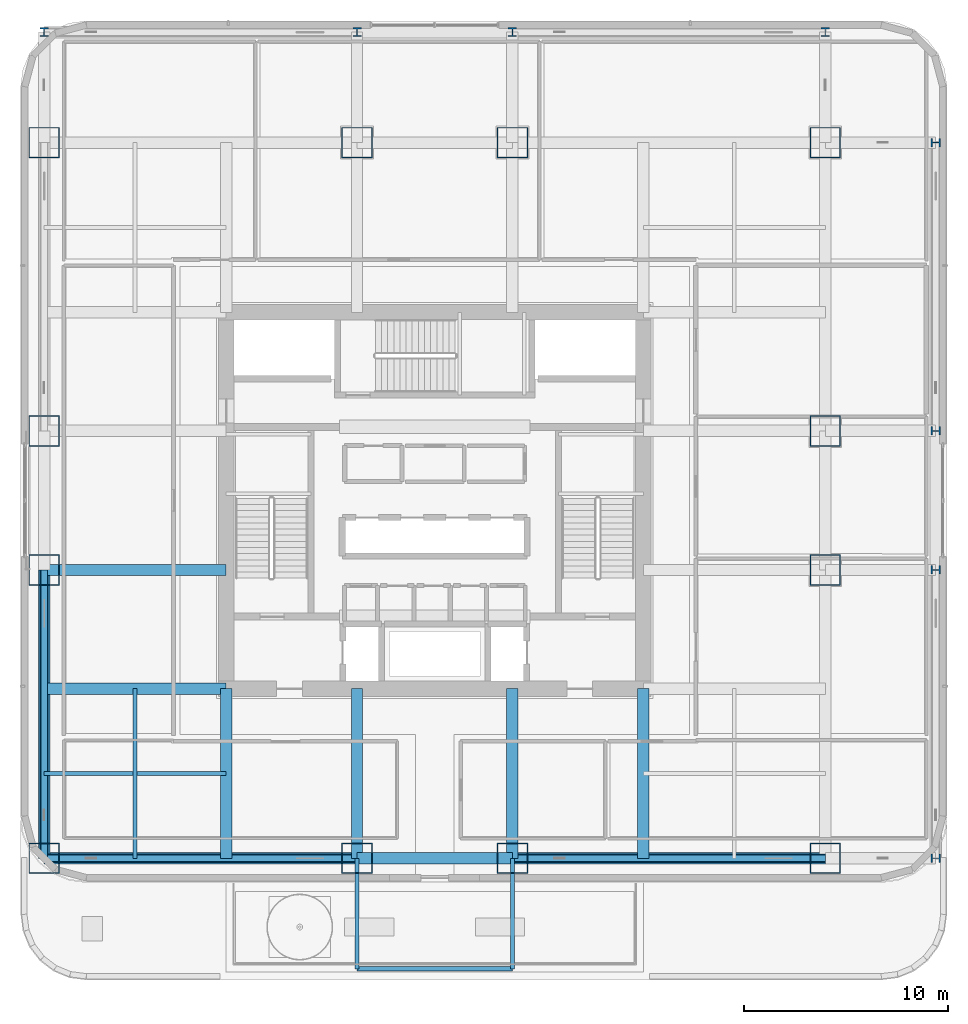
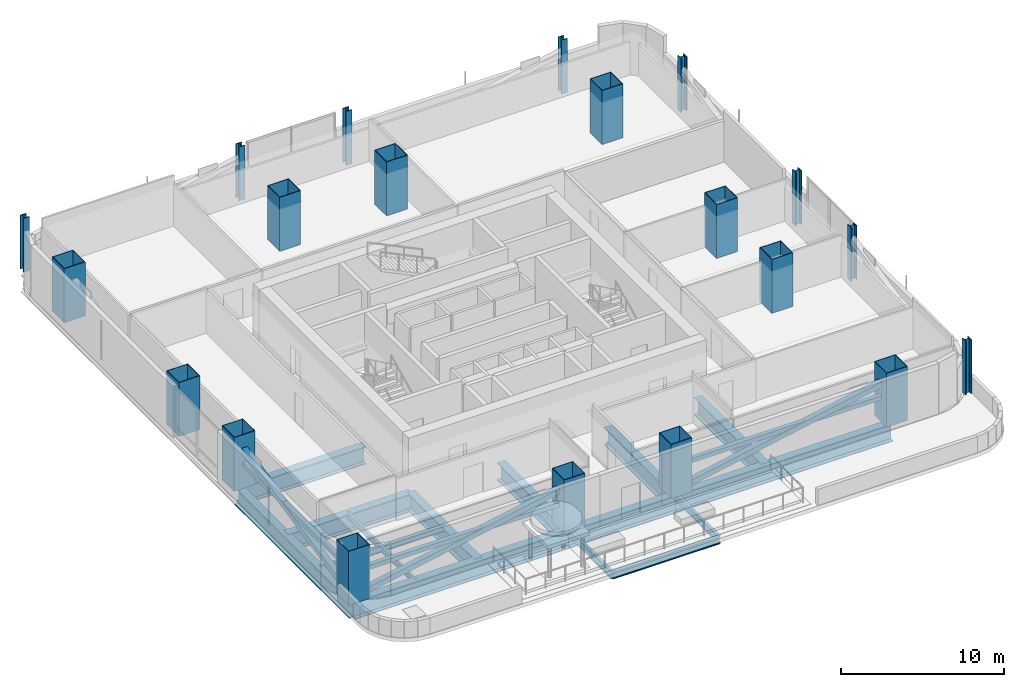
# One storey, part 1 of 28: 20 columns, 15 beams, 6 members.
"""IFC4 building model written with IfcOpenShell, lengths in metres."""

import ifcopenshell
import ifcopenshell.guid

model = None  # the IFC model being written
_history = None  # IfcOwnerHistory: only IFC2X3 demands one
_inside = {}  # id of a spatial element -> (the spatial element, [elements in it])
_under = {}  # id of a project, library or spatial element -> (it, [spatial elements below it])
_declared = {}  # id of a project -> (the project, [libraries it declares])
_typed = {}  # id of a type object -> (the type object, [elements of that type])
_made_of = {}  # id of a material, layer set ... -> (it, [elements and type objects made of it])


def new_model(schema):
    """Start an empty IFC model of exactly this schema.

    Asked for "IFC4X3", IfcOpenShell would pick the latest addendum, in which some entities
    have other attributes; the version numbers below select the first issue.
    IFC2X3 requires an IfcOwnerHistory on every rooted entity: one is made here for all.
    """
    global model, _history
    if schema == "IFC4X3":
        model = ifcopenshell.file(schema_version=(4, 3, 0, 0))
    else:
        model = ifcopenshell.file(schema=schema)
    _inside.clear()
    _under.clear()
    _declared.clear()
    _typed.clear()
    _made_of.clear()
    _history = None
    if model.schema == "IFC2X3":
        org = make("IfcOrganization", Name="unknown")
        user = make(
            "IfcPersonAndOrganization",
            ThePerson=make("IfcPerson", FamilyName="unknown"),
            TheOrganization=org,
        )
        app = make(
            "IfcApplication",
            ApplicationDeveloper=org,
            Version="unknown",
            ApplicationFullName="unknown",
            ApplicationIdentifier="unknown",
        )
        _history = make(
            "IfcOwnerHistory",
            OwningUser=user,
            OwningApplication=app,
            ChangeAction="ADDED",
            CreationDate=0,
        )
    return model


def make(cls, **values):
    """One entity of the class cls with the attributes given. An attribute that is None is left unset."""
    return model.create_entity(
        cls, **{name: value for name, value in values.items() if value is not None}
    )


def rooted(cls, **values):
    """An entity with a GlobalId (a new one), such as an element, a storey or a relation."""
    return make(cls, GlobalId=ifcopenshell.guid.new(), OwnerHistory=_history, **values)


def si_unit(unit_type, name, prefix=None):
    """IfcSIUnit, for example si_unit("LENGTHUNIT", "METRE", prefix="MILLI")."""
    return make("IfcSIUnit", UnitType=unit_type, Prefix=prefix, Name=name)


def assignment(units):
    """IfcUnitAssignment: the units of a project."""
    return None if units is None else make("IfcUnitAssignment", Units=units)


def point(xyz):
    """IfcCartesianPoint."""
    return None if xyz is None else make("IfcCartesianPoint", Coordinates=xyz)


def direction(xyz):
    """IfcDirection."""
    return None if xyz is None else make("IfcDirection", DirectionRatios=xyz)


def frame(location, z_axis=None, x_axis=None):
    """IfcAxis2Placement3D, a coordinate frame: its origin and axes. An axis left out is left unset."""
    return make(
        "IfcAxis2Placement3D",
        Location=point(location),
        Axis=direction(z_axis),
        RefDirection=direction(x_axis),
    )


def frame_2d(location, x_axis=None):
    """IfcAxis2Placement2D, a coordinate frame in the plane: its origin and x axis."""
    return make(
        "IfcAxis2Placement2D", Location=point(location), RefDirection=direction(x_axis)
    )


def origin():
    """The frame at (0, 0, 0) with its axes left unset."""
    return frame((0.0, 0.0, 0.0))


def origin_2d():
    """The frame at (0, 0) in the plane with its x axis left unset."""
    return frame_2d((0.0, 0.0))


def place(relative_to, where):
    """IfcLocalPlacement: puts the frame where relative to a parent placement (None: the world)."""
    return make(
        "IfcLocalPlacement", PlacementRelTo=relative_to, RelativePlacement=where
    )


def context(
    kind, dimensions, precision=None, world=None, true_north=None, identifier=None
):
    """IfcGeometricRepresentationContext, for example the 3D "Model" context."""
    return make(
        "IfcGeometricRepresentationContext",
        ContextIdentifier=identifier,
        ContextType=kind,
        CoordinateSpaceDimension=dimensions,
        Precision=precision,
        WorldCoordinateSystem=world,
        TrueNorth=true_north,
    )


def subcontext(parent, identifier, kind, view, scale=None):
    """IfcGeometricRepresentationSubContext, for example "Body" below "Model"."""
    return make(
        "IfcGeometricRepresentationSubContext",
        ContextIdentifier=identifier,
        ContextType=kind,
        ParentContext=parent,
        TargetScale=scale,
        TargetView=view,
    )


def project(units=None, contexts=None):
    """IfcProject with its units and contexts."""
    return rooted(
        "IfcProject",
        Name="project",
        RepresentationContexts=contexts,
        UnitsInContext=assignment(units),
    )


def spatial(cls, under=None, at=None, **own):
    """A site, building, storey or space (cls), placed at a placement, below another one or the project."""
    s = rooted(cls, ObjectPlacement=at, **own)
    if under is not None:
        _under.setdefault(under.id(), (under, []))[1].append(s)
    return s


def profile(cls, at=None, kind="AREA", **sizes):
    """A parametric profile (cls). Its sizes go by their IFC names, for example OverallWidth=200.0."""
    return make(cls, ProfileType=kind, Position=at, **sizes)


def hollow_rectangle(**sizes):
    """IfcRectangleHollowProfileDef."""
    return profile("IfcRectangleHollowProfileDef", **sizes)


def i_section(**sizes):
    """IfcIShapeProfileDef."""
    return profile("IfcIShapeProfileDef", **sizes)


def extrude(swept, where, along, depth):
    """IfcExtrudedAreaSolid: the profile swept, set in the frame where, extruded along a direction by depth."""
    return make(
        "IfcExtrudedAreaSolid",
        SweptArea=swept,
        Position=where,
        ExtrudedDirection=direction(along),
        Depth=depth,
    )


def shape(context_of_items, identifier, shape_type, items):
    """IfcShapeRepresentation: the items that make up one representation, for example the "Body"."""
    return make(
        "IfcShapeRepresentation",
        ContextOfItems=context_of_items,
        RepresentationIdentifier=identifier,
        RepresentationType=shape_type,
        Items=items,
    )


def material(Name=None, Category=None):
    """IfcMaterial."""
    return make("IfcMaterial", Name=Name, Category=Category)


def material_profile(
    of_material, cross_section, Name=None, Category=None, Priority=None
):
    """IfcMaterialProfile: a cross section and its material."""
    return make(
        "IfcMaterialProfile",
        Name=Name,
        Material=of_material,
        Profile=cross_section,
        Priority=Priority,
        Category=Category,
    )


def profile_set(profiles, Name=None, composite=None):
    """IfcMaterialProfileSet."""
    return make(
        "IfcMaterialProfileSet",
        Name=Name,
        MaterialProfiles=profiles,
        CompositeProfile=composite,
    )


def made_of(thing, what):
    """Note that an element or type object is made of a material, layer set ...; save() writes the relation."""
    if what is not None:
        _made_of.setdefault(what.id(), (what, []))[1].append(thing)
    return thing


def type_object(cls, material=None, **own):
    """A type object (cls), such as IfcWallType, which elements share."""
    return made_of(rooted(cls, **own), material)


def element(
    cls,
    number,
    at=None,
    inside=None,
    cuts=None,
    type_object=None,
    material=None,
    context=None,
    identifier="Body",
    shape_type=None,
    held_by="IfcProductDefinitionShape",
    body=None,
    shapes=None,
    **own,
):
    """One element of the class cls, such as IfcWall. Its Tag is "e" and its number.

    at: its placement. inside: the storey or other place that contains it. cuts: it is an
    opening in that element (IfcRelVoidsElement). A single representation is given by context,
    identifier, shape_type and body (its items); several are given by shapes. held_by: the class
    of the entity that holds the representations. save() writes the other relations.
    """
    e = rooted(cls, Tag="e%d" % number, ObjectPlacement=at, **own)
    if body is not None:
        shapes = [shape(context, identifier, shape_type, body)]
    if shapes is not None:
        e.Representation = make(held_by, Representations=shapes)
    if inside is not None:
        _inside.setdefault(inside.id(), (inside, []))[1].append(e)
    if cuts is not None:
        rooted(
            "IfcRelVoidsElement", RelatingBuildingElement=cuts, RelatedOpeningElement=e
        )
    if type_object is not None:
        _typed.setdefault(type_object.id(), (type_object, []))[1].append(e)
    return made_of(e, material)


def aggregate(whole, parts):
    """IfcRelAggregates: a whole, such as a stair, and the parts it consists of."""
    return rooted("IfcRelAggregates", RelatingObject=whole, RelatedObjects=parts)


def save(model, path):
    """Write the relations noted so far, then the file.

    IfcRelAggregates (storeys below a building ...), IfcRelContainedInSpatialStructure (elements
    in a storey), IfcRelDefinesByType, IfcRelAssociatesMaterial and IfcRelDeclares: one each for
    every whole, place, type object, material and project.
    """
    for whole, parts in _under.values():
        aggregate(whole, parts)
    for where, things in _inside.values():
        rooted(
            "IfcRelContainedInSpatialStructure",
            RelatedElements=things,
            RelatingStructure=where,
        )
    for kind, things in _typed.values():
        rooted("IfcRelDefinesByType", RelatedObjects=things, RelatingType=kind)
    for what, things in _made_of.values():
        rooted("IfcRelAssociatesMaterial", RelatedObjects=things, RelatingMaterial=what)
    for by, libraries in _declared.values():
        rooted("IfcRelDeclares", RelatingContext=by, RelatedDefinitions=libraries)
    model.write(path)


model = new_model("IFC4")

# Units and contexts
model_context = context("Model", 3, precision=1e-05, world=origin(), true_north=direction((0.0, 1.0)))
body_context = subcontext(model_context, "Body", "Model", "MODEL_VIEW")
ifc_project = project(units=[si_unit("LENGTHUNIT", "METRE"), si_unit("AREAUNIT", "SQUARE_METRE"), si_unit("VOLUMEUNIT", "CUBIC_METRE"), si_unit("PLANEANGLEUNIT", "RADIAN"), si_unit("MASSUNIT", "GRAM", prefix="KILO")], contexts=[model_context])

# Site, building, storey
site_placement = place(None, origin())
site = spatial("IfcSite", under=ifc_project, at=site_placement, CompositionType="ELEMENT")
building_placement = place(site_placement, origin())
building = spatial("IfcBuilding", under=site, at=building_placement, Name="Punatoya Terracotta Tower", CompositionType="ELEMENT")
storey_placement = place(building_placement, frame((0.0, 0.0, 93.0)))
storey = spatial("IfcBuildingStorey", under=building, at=storey_placement, Name="L21", CompositionType="ELEMENT", Elevation=93.0)

# Columns
ifc_material_1 = material(Name="Steel S460", Category="steel")
ifc_material_profile_1 = material_profile(ifc_material_1, i_section(OverallWidth=0.416015625, OverallDepth=0.446044921875, WebThickness=0.0390625, FlangeThickness=0.06201171875, FilletRadius=0.01806640625, at=origin_2d()))
ifc_profile_set_1 = profile_set([ifc_material_profile_1], Name="Steel S460")
column_type_1 = type_object("IfcColumnType", Name="COL-EX-M1", PredefinedType="COLUMN", material=ifc_profile_set_1)
for number, where, z_axis, x_axis, name in (
    (1, (-19.10009765625, 22.89990234375, 0.0), (0.0, 0.0, 1.0), (1.0, 0.0, 0.0), "L21 Exoskeleton Perimeter Column N1"),
    (2, (-3.800048828125, 22.89990234375, 0.0), (0.0, 0.0, 1.0), (1.0, 0.0, 0.0), "L21 Exoskeleton Perimeter Column N2"),
    (3, (3.800048828125, 22.89990234375, 0.0), (0.0, 0.0, 1.0), (1.0, 0.0, 0.0), "L21 Exoskeleton Perimeter Column N3"),
    (4, (19.10009765625, 22.89990234375, 0.0), (0.0, 0.0, 1.0), (1.0, 0.0, 0.0), "L21 Exoskeleton Perimeter Column N4"),
    (5, (24.5, -17.5, 0.0), (0.0, 0.0, 1.0), (0.0, 1.0, 0.0), "L21 Exoskeleton Perimeter Column E1"),
    (6, (24.5, -3.39990234375, 0.0), (0.0, 0.0, 1.0), (0.0, 1.0, 0.0), "L21 Exoskeleton Perimeter Column E2"),
    (7, (24.5, 3.39990234375, 0.0), (0.0, 0.0, 1.0), (0.0, 1.0, 0.0), "L21 Exoskeleton Perimeter Column E3"),
    (8, (24.5, 17.5, 0.0), (0.0, 0.0, 1.0), (0.0, 1.0, 0.0), "L21 Exoskeleton Perimeter Column E4"),
):
    element("IfcColumn", number, at=place(storey_placement, frame(where, z_axis=z_axis, x_axis=x_axis)), inside=storey, type_object=column_type_1, Name=name, PredefinedType="COLUMN", context=body_context, shape_type="SweptSolid", body=[
        extrude(i_section(OverallWidth=0.416015625, OverallDepth=0.446044921875, WebThickness=0.0390625, FlangeThickness=0.06201171875, FilletRadius=0.01806640625, at=origin_2d()), origin(), (0.0, 0.0, 1.0), 4.048095703125),
    ])
ifc_material_profile_2 = material_profile(ifc_material_1, hollow_rectangle(XDim=1.5, YDim=1.5, WallThickness=0.044921875, at=origin_2d()))
ifc_profile_set_2 = profile_set([ifc_material_profile_2], Name="Steel S460")
column_type_2 = type_object("IfcColumnType", Name="COL-MC-Z1", PredefinedType="COLUMN", material=ifc_profile_set_2)
for number, where, z_axis, x_axis, name in (
    (9, (-19.10009765625, -17.5, 0.0), (0.0, 0.0, 1.0), (1.0, 0.0, 0.0), "L21 Composite Mega-Column MC-01 (3-B)"),
    (10, (-3.800048828125, -17.5, 0.0), (0.0, 0.0, 1.0), (1.0, 0.0, 0.0), "L21 Composite Mega-Column MC-02 (5-B)"),
    (11, (3.800048828125, -17.5, 0.0), (0.0, 0.0, 1.0), (1.0, 0.0, 0.0), "L21 Composite Mega-Column MC-03 (7-B)"),
    (12, (19.10009765625, -17.5, 0.0), (0.0, 0.0, 1.0), (1.0, 0.0, 0.0), "L21 Composite Mega-Column MC-04 (9-B)"),
    (13, (19.10009765625, -3.39990234375, 0.0), (0.0, 0.0, 1.0), (1.0, 0.0, 0.0), "L21 Composite Mega-Column MC-05 (9-D)"),
    (14, (19.10009765625, 3.39990234375, 0.0), (0.0, 0.0, 1.0), (1.0, 0.0, 0.0), "L21 Composite Mega-Column MC-06 (9-E)"),
    (15, (19.10009765625, 17.5, 0.0), (0.0, 0.0, 1.0), (1.0, 0.0, 0.0), "L21 Composite Mega-Column MC-07 (9-G)"),
    (16, (3.800048828125, 17.5, 0.0), (0.0, 0.0, 1.0), (1.0, 0.0, 0.0), "L21 Composite Mega-Column MC-08 (7-G)"),
    (17, (-3.800048828125, 17.5, 0.0), (0.0, 0.0, 1.0), (1.0, 0.0, 0.0), "L21 Composite Mega-Column MC-09 (5-G)"),
    (18, (-19.10009765625, 17.5, 0.0), (0.0, 0.0, 1.0), (1.0, 0.0, 0.0), "L21 Composite Mega-Column MC-10 (3-G)"),
    (19, (-19.10009765625, 3.39990234375, 0.0), (0.0, 0.0, 1.0), (1.0, 0.0, 0.0), "L21 Composite Mega-Column MC-11 (3-E)"),
    (20, (-19.10009765625, -3.39990234375, 0.0), (0.0, 0.0, 1.0), (1.0, 0.0, 0.0), "L21 Composite Mega-Column MC-12 (3-D)"),
):
    element("IfcColumn", number, at=place(storey_placement, frame(where, z_axis=z_axis, x_axis=x_axis)), inside=storey, type_object=column_type_2, Name=name, PredefinedType="COLUMN", context=body_context, shape_type="SweptSolid", body=[
        extrude(hollow_rectangle(XDim=1.5, YDim=1.5, WallThickness=0.044921875, at=origin_2d()), origin(), (0.0, 0.0, 1.0), 4.050048828125),
    ])

# Beams
ifc_material_2 = material(Name="Steel S355", Category="steel")
ifc_material_profile_3 = material_profile(ifc_material_2, i_section(OverallWidth=0.18994140625, OverallDepth=0.449951171875, WebThickness=0.009521484375, FlangeThickness=0.0146484375, FilletRadius=0.01806640625, at=origin_2d()))
ifc_profile_set_3 = profile_set([ifc_material_profile_3], Name="Steel S355")
beam_type_1 = type_object("IfcBeamType", Name="BM-SEC-450", PredefinedType="JOIST", material=ifc_profile_set_3)
beam_1_placement = place(storey_placement, frame((-19.10009765625, -13.35009765625, -0.5048828125), z_axis=(1.0, 0.0, 0.0), x_axis=(0.0, 1.0, 0.0)))
element("IfcBeam", 21, at=beam_1_placement, inside=storey, type_object=beam_type_1, Name="BM-L21-SJS-1", PredefinedType="JOIST", context=body_context, shape_type="SweptSolid", body=[
    extrude(i_section(OverallWidth=0.18994140625, OverallDepth=0.449951171875, WebThickness=0.009521484375, FlangeThickness=0.0146484375, FilletRadius=0.01806640625, at=origin_2d()), origin(), (0.0, 0.0, 1.0), 8.900146484375),
])
beam_2_placement = place(storey_placement, frame((-14.64990234375, -17.5, -0.5048828125), z_axis=(0.0, 1.0, 0.0), x_axis=(-1.0, 0.0, 0.0)))
element("IfcBeam", 22, at=beam_2_placement, inside=storey, type_object=beam_type_1, Name="BM-L21-SJW-1", PredefinedType="JOIST", context=body_context, shape_type="SweptSolid", body=[
    extrude(i_section(OverallWidth=0.18994140625, OverallDepth=0.449951171875, WebThickness=0.009521484375, FlangeThickness=0.0146484375, FilletRadius=0.01806640625, at=origin_2d()), origin(), (0.0, 0.0, 1.0), 8.300048828125),
])
ifc_material_profile_4 = material_profile(ifc_material_2, i_section(OverallWidth=0.2099609375, OverallDepth=0.550048828125, WebThickness=0.010986328125, FlangeThickness=0.01708984375, FilletRadius=0.01806640625, at=origin_2d()))
ifc_profile_set_4 = profile_set([ifc_material_profile_4], Name="Steel S355")
beam_type_2 = type_object("IfcBeamType", Name="BM-SPN-550", PredefinedType="SPANDREL", material=ifc_profile_set_4)
for number, where, z_axis, x_axis, name in (
    (23, (-3.800048828125, -22.89990234375, -0.5048828125), (0.0, 1.0, 0.0), (-1.0, 0.0, 0.0), "BM-L21-TERS-1--3"),
    (24, (3.800048828125, -22.89990234375, -0.5048828125), (0.0, 1.0, 0.0), (-1.0, 0.0, 0.0), "BM-L21-TERS-1-3"),
):
    element("IfcBeam", number, at=place(storey_placement, frame(where, z_axis=z_axis, x_axis=x_axis)), inside=storey, type_object=beam_type_2, Name=name, PredefinedType="SPANDREL", context=body_context, shape_type="SweptSolid", body=[
        extrude(i_section(OverallWidth=0.2099609375, OverallDepth=0.550048828125, WebThickness=0.010986328125, FlangeThickness=0.01708984375, FilletRadius=0.01806640625, at=origin_2d()), origin(), (0.0, 0.0, 1.0), 5.39990234375),
    ])
beam_3_placement = place(storey_placement, frame((-3.800048828125, -22.89990234375, -0.5048828125), z_axis=(1.0, 0.0, 0.0), x_axis=(0.0, 1.0, 0.0)))
element("IfcBeam", 25, at=beam_3_placement, inside=storey, type_object=beam_type_2, Name="BM-L21-TERE-1", PredefinedType="SPANDREL", context=body_context, shape_type="SweptSolid", body=[
    extrude(i_section(OverallWidth=0.2099609375, OverallDepth=0.550048828125, WebThickness=0.010986328125, FlangeThickness=0.01708984375, FilletRadius=0.01806640625, at=origin_2d()), origin(), (0.0, 0.0, 1.0), 7.60009765625),
])
ifc_material_profile_5 = material_profile(ifc_material_1, i_section(OverallWidth=0.56005859375, OverallDepth=1.320068359375, WebThickness=0.035888671875, FlangeThickness=0.054931640625, FilletRadius=0.01806640625, at=origin_2d()))
ifc_profile_set_5 = profile_set([ifc_material_profile_5], Name="Steel S460")
beam_type_3 = type_object("IfcBeamType", Name="BM-TG-BLK", PredefinedType="BEAM", material=ifc_profile_set_5)
beam_4_placement = place(storey_placement, frame((-19.10009765625, -17.5, -0.93994140625), z_axis=(1.0, 0.0, 0.0), x_axis=(0.0, 1.0, 0.0)))
element("IfcBeam", 26, at=beam_4_placement, inside=storey, type_object=beam_type_3, Name="BM-L21-RG-S1", PredefinedType="BEAM", context=body_context, shape_type="SweptSolid", body=[
    extrude(i_section(OverallWidth=0.56005859375, OverallDepth=1.320068359375, WebThickness=0.035888671875, FlangeThickness=0.054931640625, FilletRadius=0.01806640625, at=origin_2d()), origin(), (0.0, 0.0, 1.0), 15.300048828125),
])
beam_5_placement = place(storey_placement, frame((-3.800048828125, -17.5, -0.93994140625), z_axis=(1.0, 0.0, 0.0), x_axis=(0.0, 1.0, 0.0)))
element("IfcBeam", 27, at=beam_5_placement, inside=storey, type_object=beam_type_3, Name="BM-L21-RG-S2", PredefinedType="BEAM", context=body_context, shape_type="SweptSolid", body=[
    extrude(i_section(OverallWidth=0.56005859375, OverallDepth=1.320068359375, WebThickness=0.035888671875, FlangeThickness=0.054931640625, FilletRadius=0.01806640625, at=origin_2d()), origin(), (0.0, 0.0, 1.0), 7.60009765625),
])
beam_6_placement = place(storey_placement, frame((3.800048828125, -17.5, -0.93994140625), z_axis=(1.0, 0.0, 0.0), x_axis=(0.0, 1.0, 0.0)))
element("IfcBeam", 28, at=beam_6_placement, inside=storey, type_object=beam_type_3, Name="BM-L21-RG-S3", PredefinedType="BEAM", context=body_context, shape_type="SweptSolid", body=[
    extrude(i_section(OverallWidth=0.56005859375, OverallDepth=1.320068359375, WebThickness=0.035888671875, FlangeThickness=0.054931640625, FilletRadius=0.01806640625, at=origin_2d()), origin(), (0.0, 0.0, 1.0), 15.300048828125),
])
beam_7_placement = place(storey_placement, frame((-19.10009765625, -17.5, -0.93994140625), z_axis=(0.0, 1.0, 0.0), x_axis=(-1.0, 0.0, 0.0)))
element("IfcBeam", 29, at=beam_7_placement, inside=storey, type_object=beam_type_3, Name="BM-L21-RG-W1", PredefinedType="BEAM", context=body_context, shape_type="SweptSolid", body=[
    extrude(i_section(OverallWidth=0.56005859375, OverallDepth=1.320068359375, WebThickness=0.035888671875, FlangeThickness=0.054931640625, FilletRadius=0.01806640625, at=origin_2d()), origin(), (0.0, 0.0, 1.0), 14.10009765625),
])
for number, where, z_axis, x_axis, name in (
    (30, (-19.10009765625, -9.199951171875, -0.93994140625), (1.0, 0.0, 0.0), (0.0, 1.0, 0.0), "BM-L21-PR-WS"),
    (31, (-19.10009765625, -3.39990234375, -0.93994140625), (1.0, 0.0, 0.0), (0.0, 1.0, 0.0), "BM-L21-PR-WD"),
):
    element("IfcBeam", number, at=place(storey_placement, frame(where, z_axis=z_axis, x_axis=x_axis)), inside=storey, type_object=beam_type_3, Name=name, PredefinedType="BEAM", context=body_context, shape_type="SweptSolid", body=[
        extrude(i_section(OverallWidth=0.56005859375, OverallDepth=1.320068359375, WebThickness=0.035888671875, FlangeThickness=0.054931640625, FilletRadius=0.01806640625, at=origin_2d()), origin(), (0.0, 0.0, 1.0), 8.900146484375),
    ])
for number, where, z_axis, x_axis, name in (
    (32, (-10.199951171875, -17.5, -0.93994140625), (0.0, 1.0, 0.0), (-1.0, 0.0, 0.0), "BM-L21-PR-S1"),
    (33, (-3.800048828125, -17.5, -0.93994140625), (0.0, 1.0, 0.0), (-1.0, 0.0, 0.0), "BM-L21-PR-S2"),
    (34, (3.800048828125, -17.5, -0.93994140625), (0.0, 1.0, 0.0), (-1.0, 0.0, 0.0), "BM-L21-PR-S3"),
    (35, (10.199951171875, -17.5, -0.93994140625), (0.0, 1.0, 0.0), (-1.0, 0.0, 0.0), "BM-L21-PR-S4"),
):
    element("IfcBeam", number, at=place(storey_placement, frame(where, z_axis=z_axis, x_axis=x_axis)), inside=storey, type_object=beam_type_3, Name=name, PredefinedType="BEAM", context=body_context, shape_type="SweptSolid", body=[
        extrude(i_section(OverallWidth=0.56005859375, OverallDepth=1.320068359375, WebThickness=0.035888671875, FlangeThickness=0.054931640625, FilletRadius=0.01806640625, at=origin_2d()), origin(), (0.0, 0.0, 1.0), 8.300048828125),
    ])

# Members
ifc_material_profile_6 = material_profile(ifc_material_1, hollow_rectangle(XDim=0.320068359375, YDim=0.320068359375, WallThickness=0.01806640625, at=origin_2d()))
ifc_profile_set_6 = profile_set([ifc_material_profile_6], Name="Steel S460")
member_type_1 = type_object("IfcMemberType", Name="MEM-CHD-320", PredefinedType="CHORD", material=ifc_profile_set_6)
for number, where, z_axis, x_axis, name in (
    (36, (-19.10009765625, -17.5, 1.85009765625), (1.0, 0.0, 0.0), (0.0, 1.0, 0.0), "L21 Exoskeleton Belt Truss Tie Chord S1"),
    (37, (3.800048828125, -17.5, 1.85009765625), (1.0, 0.0, 0.0), (0.0, 1.0, 0.0), "L21 Exoskeleton Belt Truss Tie Chord S3"),
):
    element("IfcMember", number, at=place(storey_placement, frame(where, z_axis=z_axis, x_axis=x_axis)), inside=storey, type_object=member_type_1, Name=name, PredefinedType="CHORD", context=body_context, shape_type="SweptSolid", body=[
        extrude(hollow_rectangle(XDim=0.320068359375, YDim=0.320068359375, WallThickness=0.01806640625, at=origin_2d()), origin(), (0.0, 0.0, 1.0), 15.300048828125),
    ])
member_1_placement = place(storey_placement, frame((-19.10009765625, -17.5, 1.85009765625), z_axis=(0.0, 1.0, 0.0), x_axis=(-1.0, 0.0, 0.0)))
element("IfcMember", 38, at=member_1_placement, inside=storey, type_object=member_type_1, Name="L21 Exoskeleton Belt Truss Tie Chord W1", PredefinedType="CHORD", context=body_context, shape_type="SweptSolid", body=[
    extrude(hollow_rectangle(XDim=0.320068359375, YDim=0.320068359375, WallThickness=0.01806640625, at=origin_2d()), origin(), (0.0, 0.0, 1.0), 14.10009765625),
])
ifc_material_profile_7 = material_profile(ifc_material_1, hollow_rectangle(XDim=0.39990234375, YDim=0.39990234375, WallThickness=0.02197265625, at=origin_2d()))
ifc_profile_set_7 = profile_set([ifc_material_profile_7], Name="Steel S460")
member_type_2 = type_object("IfcMemberType", Name="MEM-EXO-400", PredefinedType="BRACE", material=ifc_profile_set_7)
for number, where, z_axis, x_axis, name in (
    (39, (-19.10009765625, -17.5, 0.02001953125), (0.981434908309, 0.0, 0.191795518072), (0.0, 1.0, 0.0), "L21 Exoskeleton Belt Brace S1"),
    (40, (3.800048828125, -17.5, 0.02001953125), (0.981434908309, 0.0, 0.191795518072), (0.0, 1.0, 0.0), "L21 Exoskeleton Belt Brace S3"),
):
    element("IfcMember", number, at=place(storey_placement, frame(where, z_axis=z_axis, x_axis=x_axis)), inside=storey, type_object=member_type_2, Name=name, PredefinedType="BRACE", context=body_context, shape_type="SweptSolid", body=[
        extrude(hollow_rectangle(XDim=0.39990234375, YDim=0.39990234375, WallThickness=0.02197265625, at=origin_2d()), origin(), (0.0, 0.0, 1.0), 15.58935546875),
    ])
member_2_placement = place(storey_placement, frame((-19.10009765625, -17.5, 0.02001953125), z_axis=(0.0, 0.978247355132, 0.207441828415), x_axis=(-1.0, 0.0, 0.0)))
element("IfcMember", 41, at=member_2_placement, inside=storey, type_object=member_type_2, Name="L21 Exoskeleton Belt Brace W1", PredefinedType="BRACE", context=body_context, shape_type="SweptSolid", body=[
    extrude(hollow_rectangle(XDim=0.39990234375, YDim=0.39990234375, WallThickness=0.02197265625, at=origin_2d()), origin(), (0.0, 0.0, 1.0), 14.41357421875),
])

save(model, "model.ifc")
